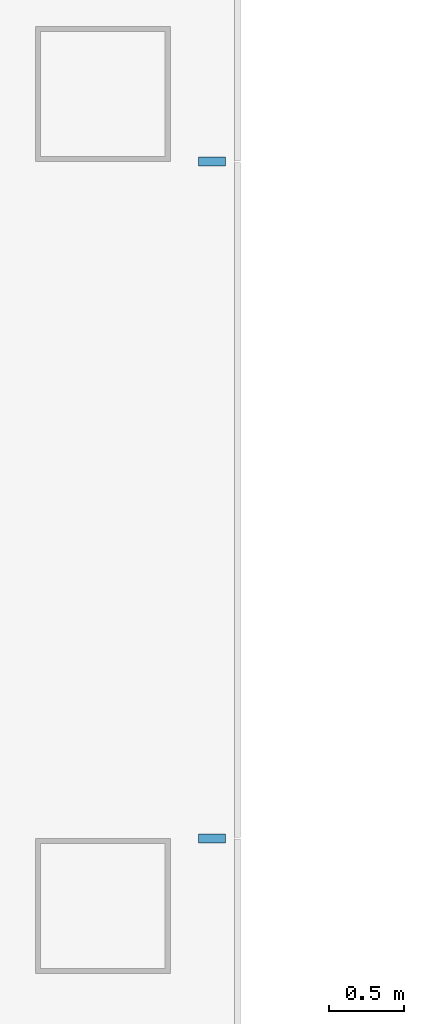
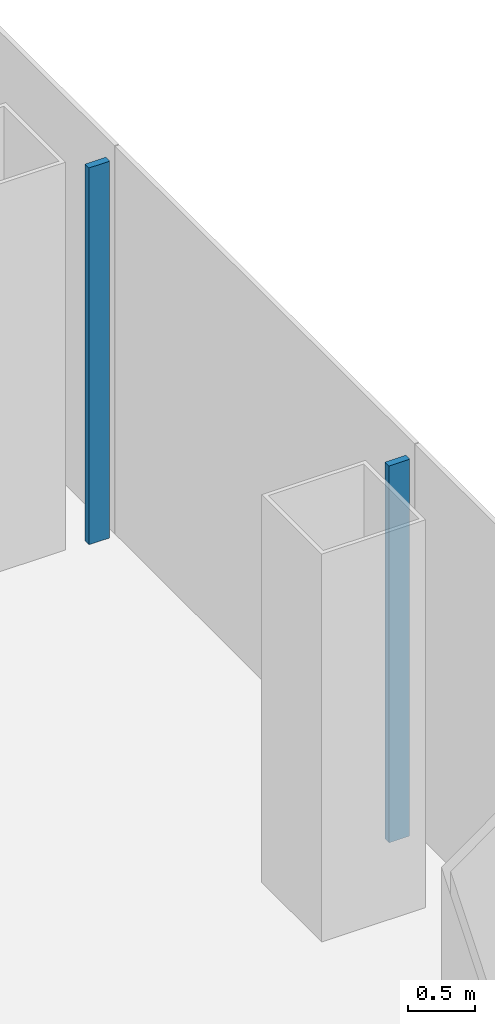
# One storey, part 4 of 20: 2 members, 1 element without a shape of its own.
"""IFC4 building model written with IfcOpenShell, lengths in metres."""

from ifc_helpers import new_model, si_unit, direction, frame, origin, origin_2d, place, context, subcontext, project, spatial, rectangle, extrude, material, layer, layer_set, material_profile, profile_set, type_object, element, aggregate, save


model = new_model("IFC4")

# Units and contexts
model_context = context("Model", 3, precision=1e-05, world=origin(), true_north=direction((0.0, 1.0)))
body_context = subcontext(model_context, "Body", "Model", "MODEL_VIEW")
ifc_project = project(units=[si_unit("LENGTHUNIT", "METRE"), si_unit("AREAUNIT", "SQUARE_METRE"), si_unit("VOLUMEUNIT", "CUBIC_METRE"), si_unit("PLANEANGLEUNIT", "RADIAN"), si_unit("MASSUNIT", "GRAM", prefix="KILO")], contexts=[model_context])

# Site, building, storey
site_placement = place(None, origin())
site = spatial("IfcSite", under=ifc_project, at=site_placement, CompositionType="ELEMENT")
building_placement = place(site_placement, origin())
building = spatial("IfcBuilding", under=site, at=building_placement, Name="Shamsa Quay Exchange Towers", CompositionType="ELEMENT")
storey_placement = place(building_placement, frame((0.0, 0.0, 105.300048828125)))
storey = spatial("IfcBuildingStorey", under=building, at=storey_placement, Name="L24", CompositionType="ELEMENT", Elevation=105.300048828125)

# Curtain wall, members
ifc_material = material(Name="Aluminium EN AW-6063 T6, black anodised", Category="aluminium")
ifc_layer = layer(ifc_material, 0.280029296875)
ifc_layer_set = layer_set([ifc_layer], Name="CW-1 UNITISED VISION GLASS")
curtain_wall_type = type_object("IfcCurtainWallType", Name="CW-1 UNITISED VISION GLASS", PredefinedType="NOTDEFINED", material=ifc_layer_set)
curtain_wall_placement = place(storey_placement, origin())
curtain_wall = element("IfcCurtainWall", 1, at=curtain_wall_placement, inside=storey, type_object=curtain_wall_type, Name="CW1 T1-END-U+ L24", PredefinedType="NOTDEFINED")
ifc_material_profile = material_profile(ifc_material, rectangle(XDim=0.179931640625, YDim=0.06005859375, at=origin_2d()), Name="MU60x180")
ifc_profile_set = profile_set([ifc_material_profile], Name="Aluminium EN AW-6063 T6, black anodised")
member_type = type_object("IfcMemberType", Name="CW1 MULLION 60x180", PredefinedType="MULLION", material=ifc_profile_set)
member_1_placement = place(storey_placement, frame((-4.64990234375, -2.25, 0.0), z_axis=(0.0, 0.0, 1.0), x_axis=(-1.0, 0.0, 0.0)))
member_1 = element("IfcMember", 2, at=member_1_placement, type_object=member_type, Name="CW1 mullion", PredefinedType="MULLION", context=body_context, shape_type="SweptSolid", body=[
    extrude(rectangle(XDim=0.179931640625, YDim=0.06005859375, at=origin_2d()), origin(), (0.0, 0.0, 1.0), 3.449951171875),
])
member_2_placement = place(storey_placement, frame((-4.64990234375, 2.25, 0.0), z_axis=(0.0, 0.0, 1.0), x_axis=(-1.0, 0.0, 0.0)))
member_2 = element("IfcMember", 3, at=member_2_placement, type_object=member_type, Name="CW1 mullion", PredefinedType="MULLION", context=body_context, shape_type="SweptSolid", body=[
    extrude(rectangle(XDim=0.179931640625, YDim=0.06005859375, at=origin_2d()), origin(), (0.0, 0.0, 1.0), 3.449951171875),
])
aggregate(curtain_wall, [member_1, member_2])

save(model, "model.ifc")
